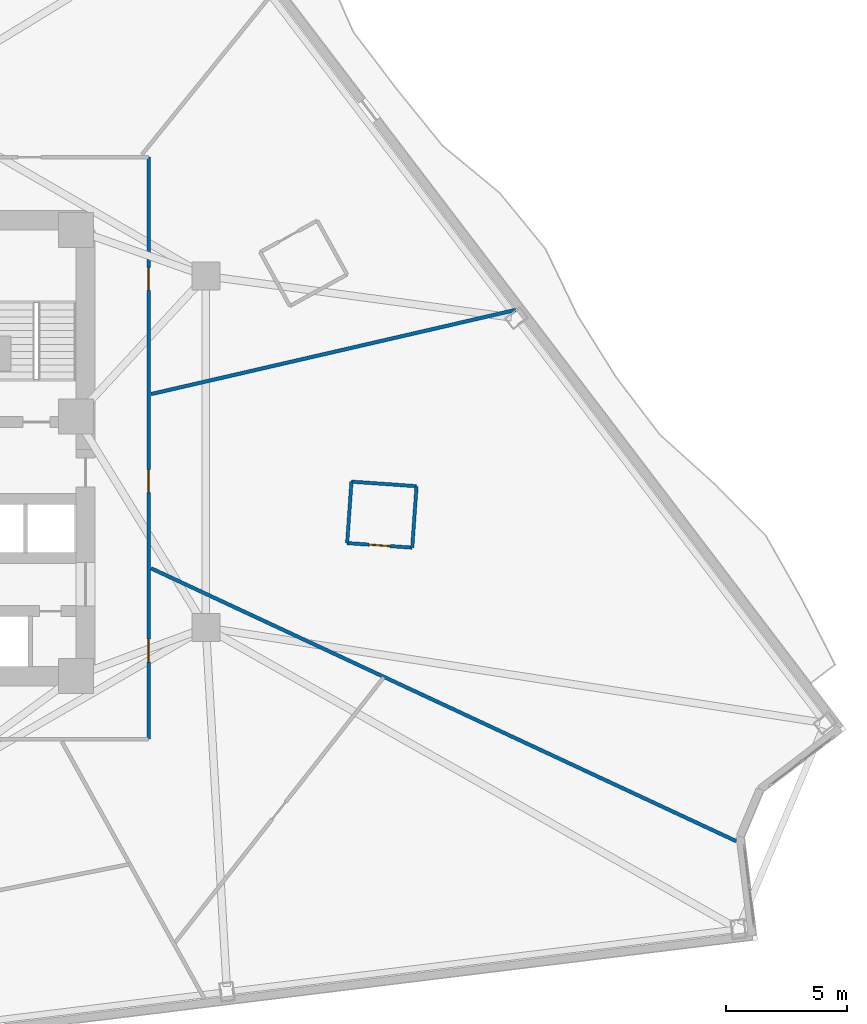
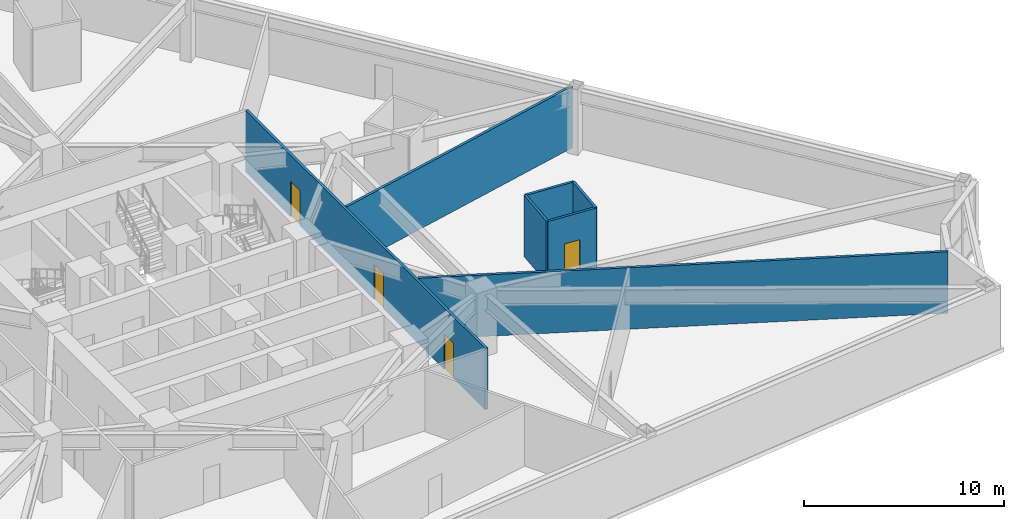
# One storey, part 8 of 14: 7 walls, 4 doors, 4 openings.
"""IFC4 building model written with IfcOpenShell, lengths in metres."""

import ifcopenshell
import ifcopenshell.guid

model = None  # the IFC model being written
_history = None  # IfcOwnerHistory: only IFC2X3 demands one
_inside = {}  # id of a spatial element -> (the spatial element, [elements in it])
_under = {}  # id of a project, library or spatial element -> (it, [spatial elements below it])
_declared = {}  # id of a project -> (the project, [libraries it declares])
_typed = {}  # id of a type object -> (the type object, [elements of that type])
_made_of = {}  # id of a material, layer set ... -> (it, [elements and type objects made of it])


def new_model(schema):
    """Start an empty IFC model of exactly this schema.

    Asked for "IFC4X3", IfcOpenShell would pick the latest addendum, in which some entities
    have other attributes; the version numbers below select the first issue.
    IFC2X3 requires an IfcOwnerHistory on every rooted entity: one is made here for all.
    """
    global model, _history
    if schema == "IFC4X3":
        model = ifcopenshell.file(schema_version=(4, 3, 0, 0))
    else:
        model = ifcopenshell.file(schema=schema)
    _inside.clear()
    _under.clear()
    _declared.clear()
    _typed.clear()
    _made_of.clear()
    _history = None
    if model.schema == "IFC2X3":
        org = make("IfcOrganization", Name="unknown")
        user = make(
            "IfcPersonAndOrganization",
            ThePerson=make("IfcPerson", FamilyName="unknown"),
            TheOrganization=org,
        )
        app = make(
            "IfcApplication",
            ApplicationDeveloper=org,
            Version="unknown",
            ApplicationFullName="unknown",
            ApplicationIdentifier="unknown",
        )
        _history = make(
            "IfcOwnerHistory",
            OwningUser=user,
            OwningApplication=app,
            ChangeAction="ADDED",
            CreationDate=0,
        )
    return model


def make(cls, **values):
    """One entity of the class cls with the attributes given. An attribute that is None is left unset."""
    return model.create_entity(
        cls, **{name: value for name, value in values.items() if value is not None}
    )


def rooted(cls, **values):
    """An entity with a GlobalId (a new one), such as an element, a storey or a relation."""
    return make(cls, GlobalId=ifcopenshell.guid.new(), OwnerHistory=_history, **values)


def si_unit(unit_type, name, prefix=None):
    """IfcSIUnit, for example si_unit("LENGTHUNIT", "METRE", prefix="MILLI")."""
    return make("IfcSIUnit", UnitType=unit_type, Prefix=prefix, Name=name)


def assignment(units):
    """IfcUnitAssignment: the units of a project."""
    return None if units is None else make("IfcUnitAssignment", Units=units)


def point(xyz):
    """IfcCartesianPoint."""
    return None if xyz is None else make("IfcCartesianPoint", Coordinates=xyz)


def direction(xyz):
    """IfcDirection."""
    return None if xyz is None else make("IfcDirection", DirectionRatios=xyz)


def frame(location, z_axis=None, x_axis=None):
    """IfcAxis2Placement3D, a coordinate frame: its origin and axes. An axis left out is left unset."""
    return make(
        "IfcAxis2Placement3D",
        Location=point(location),
        Axis=direction(z_axis),
        RefDirection=direction(x_axis),
    )


def frame_2d(location, x_axis=None):
    """IfcAxis2Placement2D, a coordinate frame in the plane: its origin and x axis."""
    return make(
        "IfcAxis2Placement2D", Location=point(location), RefDirection=direction(x_axis)
    )


def origin():
    """The frame at (0, 0, 0) with its axes left unset."""
    return frame((0.0, 0.0, 0.0))


def place(relative_to, where):
    """IfcLocalPlacement: puts the frame where relative to a parent placement (None: the world)."""
    return make(
        "IfcLocalPlacement", PlacementRelTo=relative_to, RelativePlacement=where
    )


def context(
    kind, dimensions, precision=None, world=None, true_north=None, identifier=None
):
    """IfcGeometricRepresentationContext, for example the 3D "Model" context."""
    return make(
        "IfcGeometricRepresentationContext",
        ContextIdentifier=identifier,
        ContextType=kind,
        CoordinateSpaceDimension=dimensions,
        Precision=precision,
        WorldCoordinateSystem=world,
        TrueNorth=true_north,
    )


def subcontext(parent, identifier, kind, view, scale=None):
    """IfcGeometricRepresentationSubContext, for example "Body" below "Model"."""
    return make(
        "IfcGeometricRepresentationSubContext",
        ContextIdentifier=identifier,
        ContextType=kind,
        ParentContext=parent,
        TargetScale=scale,
        TargetView=view,
    )


def project(units=None, contexts=None):
    """IfcProject with its units and contexts."""
    return rooted(
        "IfcProject",
        Name="project",
        RepresentationContexts=contexts,
        UnitsInContext=assignment(units),
    )


def spatial(cls, under=None, at=None, **own):
    """A site, building, storey or space (cls), placed at a placement, below another one or the project."""
    s = rooted(cls, ObjectPlacement=at, **own)
    if under is not None:
        _under.setdefault(under.id(), (under, []))[1].append(s)
    return s


def profile(cls, at=None, kind="AREA", **sizes):
    """A parametric profile (cls). Its sizes go by their IFC names, for example OverallWidth=200.0."""
    return make(cls, ProfileType=kind, Position=at, **sizes)


def rectangle(**sizes):
    """IfcRectangleProfileDef."""
    return profile("IfcRectangleProfileDef", **sizes)


def extrude(swept, where, along, depth):
    """IfcExtrudedAreaSolid: the profile swept, set in the frame where, extruded along a direction by depth."""
    return make(
        "IfcExtrudedAreaSolid",
        SweptArea=swept,
        Position=where,
        ExtrudedDirection=direction(along),
        Depth=depth,
    )


def shape(context_of_items, identifier, shape_type, items):
    """IfcShapeRepresentation: the items that make up one representation, for example the "Body"."""
    return make(
        "IfcShapeRepresentation",
        ContextOfItems=context_of_items,
        RepresentationIdentifier=identifier,
        RepresentationType=shape_type,
        Items=items,
    )


def material(Name=None, Category=None):
    """IfcMaterial."""
    return make("IfcMaterial", Name=Name, Category=Category)


def layer(
    of_material, thickness, ventilated=None, Name=None, Category=None, Priority=None
):
    """IfcMaterialLayer: one layer of a wall or slab, of a material (None: an air gap)."""
    return make(
        "IfcMaterialLayer",
        Material=of_material,
        LayerThickness=thickness,
        IsVentilated=ventilated,
        Name=Name,
        Category=Category,
        Priority=Priority,
    )


def layer_set(layers, Name=None):
    """IfcMaterialLayerSet."""
    return make("IfcMaterialLayerSet", MaterialLayers=layers, LayerSetName=Name)


def made_of(thing, what):
    """Note that an element or type object is made of a material, layer set ...; save() writes the relation."""
    if what is not None:
        _made_of.setdefault(what.id(), (what, []))[1].append(thing)
    return thing


def type_object(cls, material=None, **own):
    """A type object (cls), such as IfcWallType, which elements share."""
    return made_of(rooted(cls, **own), material)


def element(
    cls,
    number,
    at=None,
    inside=None,
    cuts=None,
    type_object=None,
    material=None,
    context=None,
    identifier="Body",
    shape_type=None,
    held_by="IfcProductDefinitionShape",
    body=None,
    shapes=None,
    **own,
):
    """One element of the class cls, such as IfcWall. Its Tag is "e" and its number.

    at: its placement. inside: the storey or other place that contains it. cuts: it is an
    opening in that element (IfcRelVoidsElement). A single representation is given by context,
    identifier, shape_type and body (its items); several are given by shapes. held_by: the class
    of the entity that holds the representations. save() writes the other relations.
    """
    e = rooted(cls, Tag="e%d" % number, ObjectPlacement=at, **own)
    if body is not None:
        shapes = [shape(context, identifier, shape_type, body)]
    if shapes is not None:
        e.Representation = make(held_by, Representations=shapes)
    if inside is not None:
        _inside.setdefault(inside.id(), (inside, []))[1].append(e)
    if cuts is not None:
        rooted(
            "IfcRelVoidsElement", RelatingBuildingElement=cuts, RelatedOpeningElement=e
        )
    if type_object is not None:
        _typed.setdefault(type_object.id(), (type_object, []))[1].append(e)
    return made_of(e, material)


def fill(opening, filler):
    """IfcRelFillsElement: the door or window that sits in an opening."""
    return rooted(
        "IfcRelFillsElement",
        RelatingOpeningElement=opening,
        RelatedBuildingElement=filler,
    )


def aggregate(whole, parts):
    """IfcRelAggregates: a whole, such as a stair, and the parts it consists of."""
    return rooted("IfcRelAggregates", RelatingObject=whole, RelatedObjects=parts)


def save(model, path):
    """Write the relations noted so far, then the file.

    IfcRelAggregates (storeys below a building ...), IfcRelContainedInSpatialStructure (elements
    in a storey), IfcRelDefinesByType, IfcRelAssociatesMaterial and IfcRelDeclares: one each for
    every whole, place, type object, material and project.
    """
    for whole, parts in _under.values():
        aggregate(whole, parts)
    for where, things in _inside.values():
        rooted(
            "IfcRelContainedInSpatialStructure",
            RelatedElements=things,
            RelatingStructure=where,
        )
    for kind, things in _typed.values():
        rooted("IfcRelDefinesByType", RelatedObjects=things, RelatingType=kind)
    for what, things in _made_of.values():
        rooted("IfcRelAssociatesMaterial", RelatedObjects=things, RelatingMaterial=what)
    for by, libraries in _declared.values():
        rooted("IfcRelDeclares", RelatingContext=by, RelatedDefinitions=libraries)
    model.write(path)


model = new_model("IFC4")

# Units and contexts
model_context = context("Model", 3, precision=1e-05, world=origin(), true_north=direction((0.0, 1.0)))
body_context = subcontext(model_context, "Body", "Model", "MODEL_VIEW")
ifc_project = project(units=[si_unit("LENGTHUNIT", "METRE"), si_unit("AREAUNIT", "SQUARE_METRE"), si_unit("VOLUMEUNIT", "CUBIC_METRE"), si_unit("PLANEANGLEUNIT", "RADIAN"), si_unit("MASSUNIT", "GRAM", prefix="KILO")], contexts=[model_context])

# Site, building, storey
site_placement = place(None, origin())
site = spatial("IfcSite", under=ifc_project, at=site_placement, CompositionType="ELEMENT")
building_placement = place(site_placement, origin())
building = spatial("IfcBuilding", under=site, at=building_placement, Name="Apsidion Concourse Tower", CompositionType="ELEMENT")
storey_placement = place(building_placement, frame((0.0, 0.0, 79.0)))
storey = spatial("IfcBuildingStorey", under=building, at=storey_placement, Name="L17", CompositionType="ELEMENT", Elevation=79.0)

# Wall, opening, door
ifc_material_1 = material(Name="Gypsum plasterboard partition")
ifc_layer_1 = layer(ifc_material_1, 0.139892578125)
ifc_layer_set_1 = layer_set([ifc_layer_1], Name="Gypsum plasterboard partition")
wall_type_1 = type_object("IfcWallType", Name="WL-INT-PAR-140", PredefinedType="PARTITIONING", material=ifc_layer_set_1)
wall_1_placement = place(storey_placement, frame((18.388427734375, -3.76513671875, 0.0), z_axis=(0.0, 0.0, 1.0), x_axis=(0.997561747926, -0.069789390844, 0.0)))
wall_1 = element("IfcWall", 1, at=wall_1_placement, inside=storey, type_object=wall_type_1, Name="L17 Interior Partition WL-L17-POD-ENS04-S1", PredefinedType="PARTITIONING", context=body_context, shape_type="SweptSolid", body=[
    extrude(rectangle(XDim=2.690185546875, YDim=0.139892578125, at=frame_2d((1.34521484375, 0.0))), origin(), (0.0, 0.0, 1.0), 3.75),
])
opening_1_placement = place(wall_1_placement, frame((0.905029296875, 0.0, 0.0)))
opening_1 = element("IfcOpeningElement", 2, at=opening_1_placement, cuts=wall_1, Name="Opening D-03L", PredefinedType="OPENING", context=body_context, shape_type="SweptSolid", body=[
    extrude(rectangle(XDim=0.8798828125, YDim=2.10009765625, at=frame_2d((0.43994140625, 1.050048828125))), frame((0.0, 0.080078125, 0.0), z_axis=(0.0, -1.0, 0.0), x_axis=(1.0, 0.0, 0.0)), (0.0, 0.0, 1.0), 0.159912109375),
])
ifc_material_2 = material(Name="Anodised aluminium EN AW-6063 T6", Category="aluminium")
door_type_1 = type_object("IfcDoorType", Name="DR-INT-D03L", OperationType="SINGLE_SWING_LEFT", PredefinedType="DOOR", material=ifc_material_2)
door_1_placement = place(opening_1_placement, origin())
door_1 = element("IfcDoor", 3, at=door_1_placement, inside=storey, type_object=door_type_1, Name="L17 Guest En-Suite Bathroom Door ENS04", OperationType="SINGLE_SWING_LEFT", OverallHeight=2.10009765625, OverallWidth=0.8798828125, PredefinedType="DOOR", context=body_context, shape_type="SweptSolid", body=[
    extrude(rectangle(XDim=0.8798828125, YDim=2.10009765625, at=frame_2d((0.43994140625, 1.050048828125))), frame((0.0, 0.02490234375, 0.0), z_axis=(0.0, -1.0, 0.0), x_axis=(1.0, 0.0, 0.0)), (0.0, 0.0, 1.0), 0.050048828125),
])
fill(opening_1, door_1)

# Walls
wall_2_placement = place(storey_placement, frame((21.072021484375, -3.952880859375, 0.0), z_axis=(0.0, 0.0, 1.0), x_axis=(0.069682789289, 0.997569200044, 0.0)))
element("IfcWall", 4, at=wall_2_placement, inside=storey, type_object=wall_type_1, Name="L17 Interior Partition WL-L17-POD-ENS04-S2", PredefinedType="PARTITIONING", context=body_context, shape_type="SweptSolid", body=[
    extrude(rectangle(XDim=2.5400390625, YDim=0.139892578125, at=frame_2d((1.27001953125, 0.0))), origin(), (0.0, 0.0, 1.0), 3.75),
])
wall_3_placement = place(storey_placement, frame((21.2490234375, -1.4189453125, 0.0), z_axis=(0.0, 0.0, 1.0), x_axis=(-0.997567621123, 0.06970538923, 0.0)))
element("IfcWall", 5, at=wall_3_placement, inside=storey, type_object=wall_type_1, Name="L17 Interior Partition WL-L17-POD-ENS04-S3", PredefinedType="PARTITIONING", context=body_context, shape_type="SweptSolid", body=[
    extrude(rectangle(XDim=2.68994140625, YDim=0.139892578125, at=frame_2d((1.344970703125, 0.0))), origin(), (0.0, 0.0, 1.0), 3.75),
])
wall_4_placement = place(storey_placement, frame((18.565673828125, -1.2314453125, 0.0), z_axis=(0.0, 0.0, 1.0), x_axis=(-0.069785126765, -0.997562046232, 0.0)))
element("IfcWall", 6, at=wall_4_placement, inside=storey, type_object=wall_type_1, Name="L17 Interior Partition WL-L17-POD-ENS04-S4", PredefinedType="PARTITIONING", context=body_context, shape_type="SweptSolid", body=[
    extrude(rectangle(XDim=2.539794921875, YDim=0.139892578125, at=frame_2d((1.27001953125, 0.0))), origin(), (0.0, 0.0, 1.0), 3.75),
])

# Wall, openings, doors
ifc_layer_2 = layer(ifc_material_1, 0.14990234375)
ifc_layer_set_2 = layer_set([ifc_layer_2], Name="Gypsum plasterboard partition")
wall_type_2 = type_object("IfcWallType", Name="WL-INT-PAR-150", PredefinedType="PARTITIONING", material=ifc_layer_set_2)
wall_5_placement = place(storey_placement, frame((10.199951171875, 12.14990234375, 0.0), z_axis=(0.0, 0.0, 1.0), x_axis=(0.0, -1.0, 0.0)))
wall_5 = element("IfcWall", 7, at=wall_5_placement, inside=storey, type_object=wall_type_2, Name="L17 Interior Partition WL-L17-CORR-02", PredefinedType="PARTITIONING", context=body_context, shape_type="SweptSolid", body=[
    extrude(rectangle(XDim=24.0, YDim=0.14990234375, at=frame_2d((12.0, 0.0))), origin(), (0.0, 0.0, 1.0), 3.75),
])
opening_2_placement = place(wall_5_placement, frame((19.87451171875, 0.0, 0.0)))
opening_2 = element("IfcOpeningElement", 8, at=opening_2_placement, cuts=wall_5, Name="Opening D-01R", PredefinedType="OPENING", context=body_context, shape_type="SweptSolid", body=[
    extrude(rectangle(XDim=0.949951171875, YDim=2.14990234375, at=frame_2d((0.47509765625, 1.074951171875))), frame((0.0, 0.0849609375, 0.0), z_axis=(0.0, -1.0, 0.0), x_axis=(1.0, 0.0, 0.0)), (0.0, 0.0, 1.0), 0.169921875),
])
opening_3_placement = place(wall_5_placement, frame((12.8857421875, 0.0, 0.0)))
opening_3 = element("IfcOpeningElement", 9, at=opening_3_placement, cuts=wall_5, Name="Opening D-01L", PredefinedType="OPENING", context=body_context, shape_type="SweptSolid", body=[
    extrude(rectangle(XDim=0.949951171875, YDim=2.14990234375, at=frame_2d((0.47509765625, 1.074951171875))), frame((0.0, 0.0849609375, 0.0), z_axis=(0.0, -1.0, 0.0), x_axis=(1.0, 0.0, 0.0)), (0.0, 0.0, 1.0), 0.169921875),
])
opening_4_placement = place(wall_5_placement, frame((4.541015625, 0.0, 0.0)))
opening_4 = element("IfcOpeningElement", 10, at=opening_4_placement, cuts=wall_5, Name="Opening D-01R", PredefinedType="OPENING", context=body_context, shape_type="SweptSolid", body=[
    extrude(rectangle(XDim=0.949951171875, YDim=2.14990234375, at=frame_2d((0.47509765625, 1.074951171875))), frame((0.0, 0.0849609375, 0.0), z_axis=(0.0, -1.0, 0.0), x_axis=(1.0, 0.0, 0.0)), (0.0, 0.0, 1.0), 0.169921875),
])
ifc_material_3 = material(Name="Brushed stainless steel 316", Category="steel")
door_type_2 = type_object("IfcDoorType", Name="DR-INT-D01L", OperationType="SINGLE_SWING_LEFT", PredefinedType="DOOR", material=ifc_material_3)
door_2_placement = place(opening_3_placement, origin())
door_2 = element("IfcDoor", 11, at=door_2_placement, inside=storey, type_object=door_type_2, Name="L17 Corridor Entry Door 05", OperationType="SINGLE_SWING_LEFT", OverallHeight=2.14990234375, OverallWidth=0.949951171875, PredefinedType="DOOR", context=body_context, shape_type="SweptSolid", body=[
    extrude(rectangle(XDim=0.949951171875, YDim=2.14990234375, at=frame_2d((0.47509765625, 1.074951171875))), frame((0.0, 0.02490234375, 0.0), z_axis=(0.0, -1.0, 0.0), x_axis=(1.0, 0.0, 0.0)), (0.0, 0.0, 1.0), 0.050048828125),
])
fill(opening_3, door_2)
door_type_3 = type_object("IfcDoorType", Name="DR-INT-D01R", OperationType="SINGLE_SWING_RIGHT", PredefinedType="DOOR", material=ifc_material_3)
door_3_placement = place(opening_2_placement, origin())
door_3 = element("IfcDoor", 12, at=door_3_placement, inside=storey, type_object=door_type_3, Name="L17 Corridor Entry Door 04", OperationType="SINGLE_SWING_RIGHT", OverallHeight=2.14990234375, OverallWidth=0.949951171875, PredefinedType="DOOR", context=body_context, shape_type="SweptSolid", body=[
    extrude(rectangle(XDim=0.949951171875, YDim=2.14990234375, at=frame_2d((0.47509765625, 1.074951171875))), frame((0.0, 0.02490234375, 0.0), z_axis=(0.0, -1.0, 0.0), x_axis=(1.0, 0.0, 0.0)), (0.0, 0.0, 1.0), 0.050048828125),
])
fill(opening_2, door_3)
door_4_placement = place(opening_4_placement, origin())
door_4 = element("IfcDoor", 13, at=door_4_placement, inside=storey, type_object=door_type_3, Name="L17 Corridor Entry Door 06", OperationType="SINGLE_SWING_RIGHT", OverallHeight=2.14990234375, OverallWidth=0.949951171875, PredefinedType="DOOR", context=body_context, shape_type="SweptSolid", body=[
    extrude(rectangle(XDim=0.949951171875, YDim=2.14990234375, at=frame_2d((0.47509765625, 1.074951171875))), frame((0.0, 0.02490234375, 0.0), z_axis=(0.0, -1.0, 0.0), x_axis=(1.0, 0.0, 0.0)), (0.0, 0.0, 1.0), 0.050048828125),
])
fill(opening_4, door_4)

# Walls
wall_6_placement = place(storey_placement, frame((10.304931640625, 2.379150390625, 0.0), z_axis=(0.0, 0.0, 1.0), x_axis=(0.974369050334, 0.224955448368, 0.0)))
element("IfcWall", 14, at=wall_6_placement, inside=storey, type_object=wall_type_2, Name="L17 Interior Partition WL-L17-RAD-01-1", PredefinedType="PARTITIONING", context=body_context, shape_type="SweptSolid", body=[
    extrude(rectangle(XDim=15.425048828125, YDim=0.14990234375, at=frame_2d((7.71240234375, 0.0))), origin(), (0.0, 0.0, 1.0), 3.75),
])
wall_7_placement = place(storey_placement, frame((10.304931640625, -4.805419921875, 0.0), z_axis=(0.0, 0.0, 1.0), x_axis=(0.906311005283, -0.42261136012, 0.0)))
element("IfcWall", 15, at=wall_7_placement, inside=storey, type_object=wall_type_2, Name="L17 Interior Partition WL-L17-RAD-10-1", PredefinedType="PARTITIONING", context=body_context, shape_type="SweptSolid", body=[
    extrude(rectangle(XDim=26.624755859375, YDim=0.14990234375, at=frame_2d((13.3125, 0.0))), origin(), (0.0, 0.0, 1.0), 3.75),
])

save(model, "model.ifc")
